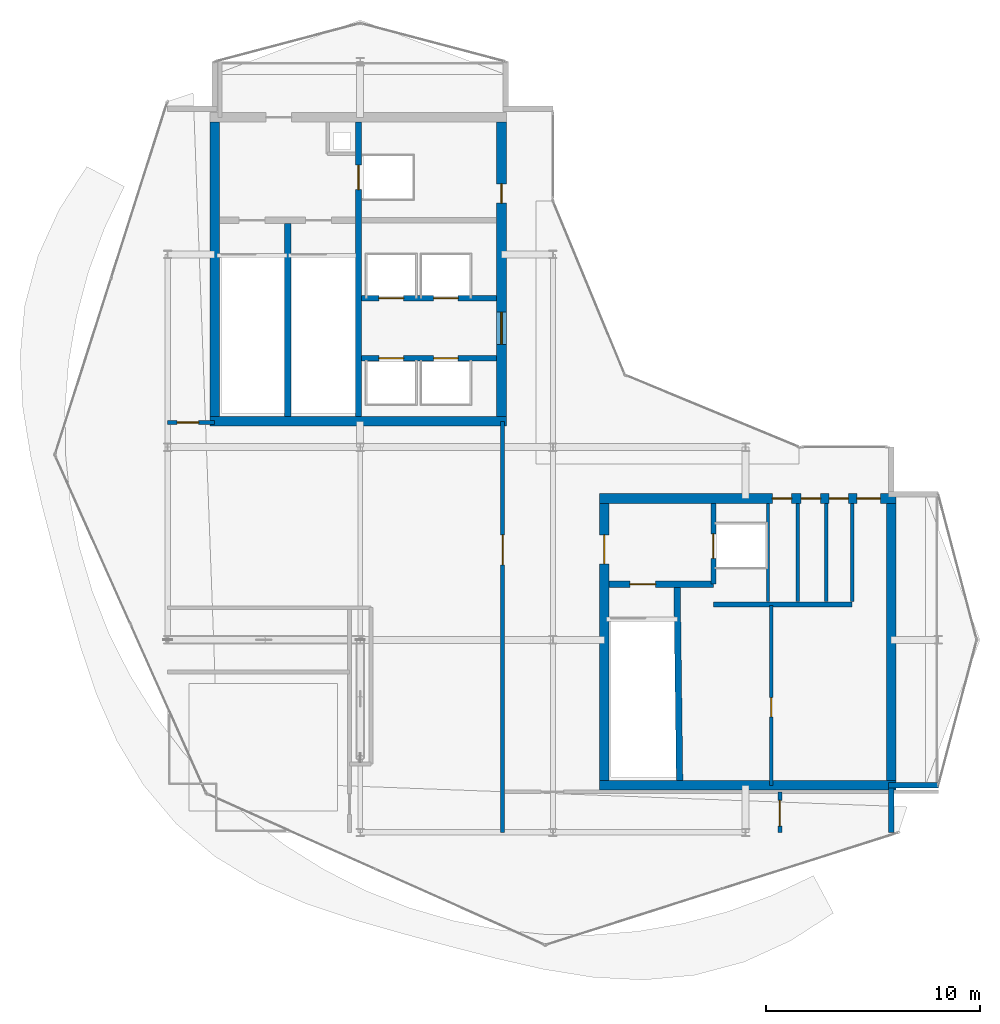
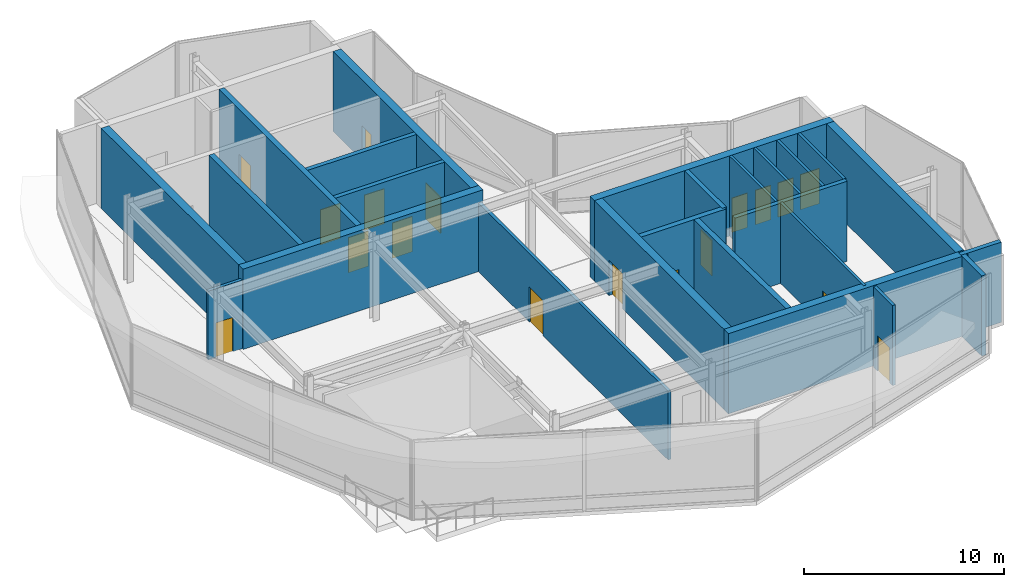
# One storey, part 17 of 19: 25 walls, 18 doors, 18 openings.
"""IFC4 building model written with IfcOpenShell, lengths in metres."""

from ifc_helpers import new_model, si_unit, direction, frame, frame_2d, origin, place, context, subcontext, project, spatial, rectangle, extrude, material, layer, layer_set, type_object, element, fill, save


model = new_model("IFC4")

# Units and contexts
model_context = context("Model", 3, precision=1e-05, world=origin(), true_north=direction((0.0, 1.0)))
body_context = subcontext(model_context, "Body", "Model", "MODEL_VIEW")
ifc_project = project(units=[si_unit("LENGTHUNIT", "METRE"), si_unit("AREAUNIT", "SQUARE_METRE"), si_unit("VOLUMEUNIT", "CUBIC_METRE"), si_unit("PLANEANGLEUNIT", "RADIAN"), si_unit("MASSUNIT", "GRAM", prefix="KILO")], contexts=[model_context])

# Site, building, storey
site_placement = place(None, origin())
site = spatial("IfcSite", under=ifc_project, at=site_placement, CompositionType="ELEMENT")
building_placement = place(site_placement, origin())
building = spatial("IfcBuilding", under=site, at=building_placement, Name="Solvaryn Broadcast Tower", CompositionType="ELEMENT")
storey_placement = place(building_placement, frame((0.0, 0.0, 302.60009765625)))
storey = spatial("IfcBuildingStorey", under=building, at=storey_placement, Name="L76", CompositionType="ELEMENT", Elevation=302.60009765625)

# Walls
ifc_material_1 = material(Name="Concrete f'c 70 MPa", Category="concrete")
ifc_layer_1 = layer(ifc_material_1, 0.449951171875)
ifc_layer_set_1 = layer_set([ifc_layer_1], Name="CW-SHEAR-450")
wall_type_1 = type_object("IfcWallType", Name="CW-SHEAR-450", PredefinedType="SHEAR", material=ifc_layer_set_1)
wall_1_placement = place(storey_placement, frame((10.97509765625, 28.199951171875, 0.0), z_axis=(0.0, 0.0, 1.0), x_axis=(1.0, 0.0, 0.0)))
element("IfcWall", 1, at=wall_1_placement, inside=storey, type_object=wall_type_1, Name="L76 West Core South Shear Wall", PredefinedType="SHEAR", context=body_context, shape_type="SweptSolid", body=[
    extrude(rectangle(XDim=13.849853515625, YDim=0.449951171875, at=frame_2d((6.9248046875, 0.0))), origin(), (0.0, 0.0, 1.0), 4.89990234375),
])
wall_2_placement = place(storey_placement, frame((11.199951171875, 42.175048828125, 0.0), z_axis=(0.0, 0.0, 1.0), x_axis=(0.0, -1.0, 0.0)))
element("IfcWall", 2, at=wall_2_placement, inside=storey, type_object=wall_type_1, Name="L76 West Core West Shear Wall", PredefinedType="SHEAR", context=body_context, shape_type="SweptSolid", body=[
    extrude(rectangle(XDim=13.75, YDim=0.449951171875, at=frame_2d((6.875, 0.0))), origin(), (0.0, 0.0, 1.0), 4.89990234375),
])

# Wall, openings, doors
wall_3_placement = place(storey_placement, frame((24.60009765625, 28.425048828125, 0.0), z_axis=(0.0, 0.0, 1.0), x_axis=(0.0, 1.0, 0.0)))
wall_3 = element("IfcWall", 3, at=wall_3_placement, inside=storey, type_object=wall_type_1, Name="L76 West Core East Shear Wall", PredefinedType="SHEAR", context=body_context, shape_type="SweptSolid", body=[
    extrude(rectangle(XDim=13.75, YDim=0.449951171875, at=frame_2d((6.875, 0.0))), origin(), (0.0, 0.0, 1.0), 4.89990234375),
])
opening_1_placement = place(wall_3_placement, frame((3.375, 0.0, 0.0)))
opening_1 = element("IfcOpeningElement", 4, at=opening_1_placement, cuts=wall_3, Name="Opening FD60A", PredefinedType="OPENING", context=body_context, shape_type="SweptSolid", body=[
    extrude(rectangle(XDim=1.5, YDim=2.199951171875, at=frame_2d((0.75, 1.10009765625))), frame((0.0, 0.235107421875, 0.0), z_axis=(0.0, -1.0, 0.0), x_axis=(1.0, 0.0, 0.0)), (0.0, 0.0, 1.0), 0.469970703125),
])
opening_2_placement = place(wall_3_placement, frame((9.97509765625, 0.0, 0.0)))
opening_2 = element("IfcOpeningElement", 5, at=opening_2_placement, cuts=wall_3, Name="Opening FD60C", PredefinedType="OPENING", context=body_context, shape_type="SweptSolid", body=[
    extrude(rectangle(XDim=0.89990234375, YDim=2.10009765625, at=frame_2d((0.449951171875, 1.050048828125))), frame((0.0, 0.235107421875, 0.0), z_axis=(0.0, -1.0, 0.0), x_axis=(1.0, 0.0, 0.0)), (0.0, 0.0, 1.0), 0.469970703125),
])
ifc_material_2 = material(Name="Flush Acoustic Steel and Timber Door Assembly", Category="steel")
door_type_1 = type_object("IfcDoorType", Name="FD60-CORR-1500X2200", OperationType="NOTDEFINED", PredefinedType="DOOR", material=ifc_material_2)
door_1_placement = place(opening_1_placement, origin())
door_1 = element("IfcDoor", 6, at=door_1_placement, inside=storey, type_object=door_type_1, Name="L76 West Elevator Lobby Corridor Door", OperationType="DOUBLE_DOOR_SINGLE_SWING", OverallHeight=2.199951171875, OverallWidth=1.5, PredefinedType="DOOR", context=body_context, shape_type="SweptSolid", body=[
    extrude(rectangle(XDim=1.5, YDim=2.199951171875, at=frame_2d((0.75, 1.10009765625))), frame((0.0, 0.02490234375, 0.0), z_axis=(0.0, -1.0, 0.0), x_axis=(1.0, 0.0, 0.0)), (0.0, 0.0, 1.0), 0.050048828125),
])
fill(opening_1, door_1)
ifc_material_3 = material(Name="Flush Acoustic Steel and Timber Door Assembly", Category="steel")
door_type_2 = type_object("IfcDoorType", Name="FD60-SERV-900X2100", OperationType="NOTDEFINED", PredefinedType="DOOR", material=ifc_material_3)
door_2_placement = place(opening_2_placement, origin())
door_2 = element("IfcDoor", 7, at=door_2_placement, inside=storey, type_object=door_type_2, Name="L76 West Core Service Door 1", OperationType="SINGLE_SWING_LEFT", OverallHeight=2.10009765625, OverallWidth=0.89990234375, PredefinedType="DOOR", context=body_context, shape_type="SweptSolid", body=[
    extrude(rectangle(XDim=0.89990234375, YDim=2.10009765625, at=frame_2d((0.449951171875, 1.050048828125))), frame((0.0, 0.02490234375, 0.0), z_axis=(0.0, -1.0, 0.0), x_axis=(1.0, 0.0, 0.0)), (0.0, 0.0, 1.0), 0.050048828125),
])
fill(opening_2, door_2)

# Wall
wall_4_placement = place(storey_placement, frame((29.175048828125, 11.199951171875, 0.0), z_axis=(0.0, 0.0, 1.0), x_axis=(1.0, 0.0, 0.0)))
element("IfcWall", 8, at=wall_4_placement, inside=storey, type_object=wall_type_1, Name="L76 East Core South Shear Wall", PredefinedType="SHEAR", context=body_context, shape_type="SweptSolid", body=[
    extrude(rectangle(XDim=13.849853515625, YDim=0.449951171875, at=frame_2d((6.9248046875, 0.0))), origin(), (0.0, 0.0, 1.0), 4.89990234375),
])

# Wall, openings, doors
wall_5_placement = place(storey_placement, frame((43.02490234375, 24.60009765625, 0.0), z_axis=(0.0, 0.0, 1.0), x_axis=(-1.0, 0.0, 0.0)))
wall_5 = element("IfcWall", 9, at=wall_5_placement, inside=storey, type_object=wall_type_1, Name="L76 East Core North Shear Wall", PredefinedType="SHEAR", context=body_context, shape_type="SweptSolid", body=[
    extrude(rectangle(XDim=13.849853515625, YDim=0.449951171875, at=frame_2d((6.9248046875, 0.0))), origin(), (0.0, 0.0, 1.0), 4.89990234375),
])
opening_3_placement = place(wall_5_placement, frame((0.72509765625, 0.0, 0.0)))
opening_3 = element("IfcOpeningElement", 10, at=opening_3_placement, cuts=wall_5, Name="Opening FD90C", PredefinedType="OPENING", context=body_context, shape_type="SweptSolid", body=[
    extrude(rectangle(XDim=1.10009765625, YDim=2.14990234375, at=frame_2d((0.550048828125, 1.074951171875))), frame((0.0, 0.235107421875, 0.0), z_axis=(0.0, -1.0, 0.0), x_axis=(1.0, 0.0, 0.0)), (0.0, 0.0, 1.0), 0.469970703125),
])
opening_4_placement = place(wall_5_placement, frame((2.22509765625, 0.0, 0.0)))
opening_4 = element("IfcOpeningElement", 11, at=opening_4_placement, cuts=wall_5, Name="Opening FD60C", PredefinedType="OPENING", context=body_context, shape_type="SweptSolid", body=[
    extrude(rectangle(XDim=0.89990234375, YDim=2.10009765625, at=frame_2d((0.449951171875, 1.050048828125))), frame((0.0, 0.235107421875, 0.0), z_axis=(0.0, -1.0, 0.0), x_axis=(1.0, 0.0, 0.0)), (0.0, 0.0, 1.0), 0.469970703125),
])
opening_5_placement = place(wall_5_placement, frame((3.52490234375, 0.0, 0.0)))
opening_5 = element("IfcOpeningElement", 12, at=opening_5_placement, cuts=wall_5, Name="Opening FD60C", PredefinedType="OPENING", context=body_context, shape_type="SweptSolid", body=[
    extrude(rectangle(XDim=0.89990234375, YDim=2.10009765625, at=frame_2d((0.449951171875, 1.050048828125))), frame((0.0, 0.235107421875, 0.0), z_axis=(0.0, -1.0, 0.0), x_axis=(1.0, 0.0, 0.0)), (0.0, 0.0, 1.0), 0.469970703125),
])
opening_6_placement = place(wall_5_placement, frame((4.875, 0.0, 0.0)))
opening_6 = element("IfcOpeningElement", 13, at=opening_6_placement, cuts=wall_5, Name="Opening FD60C", PredefinedType="OPENING", context=body_context, shape_type="SweptSolid", body=[
    extrude(rectangle(XDim=0.89990234375, YDim=2.10009765625, at=frame_2d((0.449951171875, 1.050048828125))), frame((0.0, 0.235107421875, 0.0), z_axis=(0.0, -1.0, 0.0), x_axis=(1.0, 0.0, 0.0)), (0.0, 0.0, 1.0), 0.469970703125),
])
door_3_placement = place(opening_4_placement, origin())
door_3 = element("IfcDoor", 14, at=door_3_placement, inside=storey, type_object=door_type_2, Name="L76 Core Wellness Room Door", OperationType="SINGLE_SWING_RIGHT", OverallHeight=2.10009765625, OverallWidth=0.89990234375, PredefinedType="DOOR", context=body_context, shape_type="SweptSolid", body=[
    extrude(rectangle(XDim=0.89990234375, YDim=2.10009765625, at=frame_2d((0.449951171875, 1.050048828125))), frame((0.0, 0.02490234375, 0.0), z_axis=(0.0, -1.0, 0.0), x_axis=(1.0, 0.0, 0.0)), (0.0, 0.0, 1.0), 0.050048828125),
])
fill(opening_4, door_3)
door_4_placement = place(opening_5_placement, origin())
door_4 = element("IfcDoor", 15, at=door_4_placement, inside=storey, type_object=door_type_2, Name="L76 Staff Restroom Door", OperationType="SINGLE_SWING_LEFT", OverallHeight=2.10009765625, OverallWidth=0.89990234375, PredefinedType="DOOR", context=body_context, shape_type="SweptSolid", body=[
    extrude(rectangle(XDim=0.89990234375, YDim=2.10009765625, at=frame_2d((0.449951171875, 1.050048828125))), frame((0.0, 0.02490234375, 0.0), z_axis=(0.0, -1.0, 0.0), x_axis=(1.0, 0.0, 0.0)), (0.0, 0.0, 1.0), 0.050048828125),
])
fill(opening_5, door_4)
door_5_placement = place(opening_6_placement, origin())
door_5 = element("IfcDoor", 16, at=door_5_placement, inside=storey, type_object=door_type_2, Name="L76 Accessible WC Door", OperationType="SINGLE_SWING_RIGHT", OverallHeight=2.10009765625, OverallWidth=0.89990234375, PredefinedType="DOOR", context=body_context, shape_type="SweptSolid", body=[
    extrude(rectangle(XDim=0.89990234375, YDim=2.10009765625, at=frame_2d((0.449951171875, 1.050048828125))), frame((0.0, 0.02490234375, 0.0), z_axis=(0.0, -1.0, 0.0), x_axis=(1.0, 0.0, 0.0)), (0.0, 0.0, 1.0), 0.050048828125),
])
fill(opening_6, door_5)
ifc_material_4 = material(Name="Flush Acoustic Steel and Timber Door Assembly", Category="steel")
door_type_3 = type_object("IfcDoorType", Name="FD90-PLANT-1100X2150", OperationType="NOTDEFINED", PredefinedType="DOOR", material=ifc_material_4)
door_6_placement = place(opening_3_placement, origin())
door_6 = element("IfcDoor", 17, at=door_6_placement, inside=storey, type_object=door_type_3, Name="L76 East Core Lobby Corridor Door", OperationType="SINGLE_SWING_LEFT", OverallHeight=2.14990234375, OverallWidth=1.10009765625, PredefinedType="DOOR", context=body_context, shape_type="SweptSolid", body=[
    extrude(rectangle(XDim=1.10009765625, YDim=2.14990234375, at=frame_2d((0.550048828125, 1.074951171875))), frame((0.0, 0.02490234375, 0.0), z_axis=(0.0, -1.0, 0.0), x_axis=(1.0, 0.0, 0.0)), (0.0, 0.0, 1.0), 0.050048828125),
])
fill(opening_3, door_6)

# Wall, opening, door
wall_6_placement = place(storey_placement, frame((29.39990234375, 24.375, 0.0), z_axis=(0.0, 0.0, 1.0), x_axis=(0.0, -1.0, 0.0)))
wall_6 = element("IfcWall", 18, at=wall_6_placement, inside=storey, type_object=wall_type_1, Name="L76 East Core West Shear Wall", PredefinedType="SHEAR", context=body_context, shape_type="SweptSolid", body=[
    extrude(rectangle(XDim=12.949951171875, YDim=0.449951171875, at=frame_2d((6.47509765625, 0.0))), origin(), (0.0, 0.0, 1.0), 4.89990234375),
])
opening_7_placement = place(wall_6_placement, frame((1.47509765625, 0.0, 0.0)))
opening_7 = element("IfcOpeningElement", 19, at=opening_7_placement, cuts=wall_6, Name="Opening FD90B", PredefinedType="OPENING", context=body_context, shape_type="SweptSolid", body=[
    extrude(rectangle(XDim=1.35009765625, YDim=2.14990234375, at=frame_2d((0.675048828125, 1.074951171875))), frame((0.0, 0.235107421875, 0.0), z_axis=(0.0, -1.0, 0.0), x_axis=(1.0, 0.0, 0.0)), (0.0, 0.0, 1.0), 0.469970703125),
])
ifc_material_5 = material(Name="Flush Acoustic Steel and Timber Door Assembly", Category="steel")
door_type_4 = type_object("IfcDoorType", Name="FD90-LOBBY-1350X2150", OperationType="NOTDEFINED", PredefinedType="DOOR", material=ifc_material_5)
door_7_placement = place(opening_7_placement, origin())
door_7 = element("IfcDoor", 20, at=door_7_placement, inside=storey, type_object=door_type_4, Name="L76 East FSAE Lobby Door", OperationType="SINGLE_SWING_RIGHT", OverallHeight=2.14990234375, OverallWidth=1.35009765625, PredefinedType="DOOR", context=body_context, shape_type="SweptSolid", body=[
    extrude(rectangle(XDim=1.35009765625, YDim=2.14990234375, at=frame_2d((0.675048828125, 1.074951171875))), frame((0.0, 0.02490234375, 0.0), z_axis=(0.0, -1.0, 0.0), x_axis=(1.0, 0.0, 0.0)), (0.0, 0.0, 1.0), 0.050048828125),
])
fill(opening_7, door_7)

# Walls
wall_7_placement = place(storey_placement, frame((42.800048828125, 11.425048828125, 0.0), z_axis=(0.0, 0.0, 1.0), x_axis=(0.0, 1.0, 0.0)))
element("IfcWall", 21, at=wall_7_placement, inside=storey, type_object=wall_type_1, Name="L76 East Core East Shear Wall", PredefinedType="SHEAR", context=body_context, shape_type="SweptSolid", body=[
    extrude(rectangle(XDim=12.949951171875, YDim=0.449951171875, at=frame_2d((6.47509765625, 0.0))), origin(), (0.0, 0.0, 1.0), 4.89990234375),
])
ifc_material_6 = material(Name="Concrete f'c 50 MPa", Category="concrete")
ifc_layer_2 = layer(ifc_material_6, 0.260009765625)
ifc_layer_set_2 = layer_set([ifc_layer_2], Name="EW-PIER-260")
wall_type_2 = type_object("IfcWallType", Name="EW-PIER-260", PredefinedType="SOLIDWALL", material=ifc_layer_set_2)
wall_8_placement = place(storey_placement, frame((42.800048828125, 9.0, 0.0), z_axis=(0.0, 0.0, 1.0), x_axis=(0.0, 1.0, 0.0)))
element("IfcWall", 22, at=wall_8_placement, inside=storey, type_object=wall_type_2, Name="L76 Notched Corner Pier Wall NSE1", PredefinedType="SOLIDWALL", context=body_context, shape_type="SweptSolid", body=[
    extrude(rectangle(XDim=2.080078125, YDim=0.260009765625, at=frame_2d((1.0400390625, 0.0))), origin(), (0.0, 0.0, 1.0), 4.89990234375),
])
wall_9_placement = place(storey_placement, frame((42.679931640625, 11.199951171875, 0.0), z_axis=(0.0, 0.0, 1.0), x_axis=(1.0, 0.0, 0.0)))
element("IfcWall", 23, at=wall_9_placement, inside=storey, type_object=wall_type_2, Name="L76 Notched Corner Pier Wall NSE2", PredefinedType="SOLIDWALL", context=body_context, shape_type="SweptSolid", body=[
    extrude(rectangle(XDim=2.320068359375, YDim=0.260009765625, at=frame_2d((1.16015625, 0.0))), origin(), (0.0, 0.0, 1.0), 4.89990234375),
])

# Wall, opening, door
ifc_material_7 = material(Name="Metal-Stud Service Core Partition")
ifc_layer_3 = layer(ifc_material_7, 0.14990234375)
ifc_layer_set_3 = layer_set([ifc_layer_3], Name="IW-PART-150")
wall_type_3 = type_object("IfcWallType", Name="IW-PART-150", PredefinedType="PARTITIONING", material=ifc_layer_set_3)
wall_10_placement = place(storey_placement, frame((37.199951171875, 11.199951171875, 0.0), z_axis=(0.0, 0.0, 1.0), x_axis=(0.0, 1.0, 0.0)))
wall_10 = element("IfcWall", 24, at=wall_10_placement, inside=storey, type_object=wall_type_3, Name="L76 Interior Partition IW-L76-RPM-V", PredefinedType="PARTITIONING", context=body_context, shape_type="SweptSolid", body=[
    extrude(rectangle(XDim=8.400146484375, YDim=0.14990234375, at=frame_2d((4.2001953125, 0.0))), origin(), (0.0, 0.0, 1.0), 4.89990234375),
])
opening_8_placement = place(wall_10_placement, frame((3.199951171875, 0.0, 0.0)))
opening_8 = element("IfcOpeningElement", 25, at=opening_8_placement, cuts=wall_10, Name="Opening FD60C", PredefinedType="OPENING", context=body_context, shape_type="SweptSolid", body=[
    extrude(rectangle(XDim=0.89990234375, YDim=2.10009765625, at=frame_2d((0.449951171875, 1.050048828125))), frame((0.0, 0.0849609375, 0.0), z_axis=(0.0, -1.0, 0.0), x_axis=(1.0, 0.0, 0.0)), (0.0, 0.0, 1.0), 0.169921875),
])
door_8_placement = place(opening_8_placement, origin())
door_8 = element("IfcDoor", 26, at=door_8_placement, inside=storey, type_object=door_type_2, Name="L76 Door DR-L76-RPM1", OperationType="SINGLE_SWING_LEFT", OverallHeight=2.10009765625, OverallWidth=0.89990234375, PredefinedType="DOOR", context=body_context, shape_type="SweptSolid", body=[
    extrude(rectangle(XDim=0.89990234375, YDim=2.10009765625, at=frame_2d((0.449951171875, 1.050048828125))), frame((0.0, 0.02490234375, 0.0), z_axis=(0.0, -1.0, 0.0), x_axis=(1.0, 0.0, 0.0)), (0.0, 0.0, 1.0), 0.050048828125),
])
fill(opening_8, door_8)

# Walls
for number, where, z_axis, x_axis, name in (
    (27, (37.050048828125, 19.780029296875, 0.0), (0.0, 0.0, 1.0), (0.0, 1.0, 0.0), "L76 Interior Partition IW-L76-CE-FL2E"),
    (28, (38.43994140625, 19.780029296875, 0.0), (0.0, 0.0, 1.0), (0.0, 1.0, 0.0), "L76 Interior Partition IW-L76-CE-V1"),
    (29, (39.77001953125, 19.780029296875, 0.0), (0.0, 0.0, 1.0), (0.0, 1.0, 0.0), "L76 Interior Partition IW-L76-CE-V2"),
    (30, (40.97998046875, 19.780029296875, 0.0), (0.0, 0.0, 1.0), (0.0, 1.0, 0.0), "L76 Interior Partition IW-L76-CE-V3"),
):
    element("IfcWall", number, at=place(storey_placement, frame(where, z_axis=z_axis, x_axis=x_axis)), inside=storey, type_object=wall_type_3, Name=name, PredefinedType="PARTITIONING", context=body_context, shape_type="SweptSolid", body=[
        extrude(rectangle(XDim=4.594970703125, YDim=0.14990234375, at=frame_2d((2.29736328125, 0.0))), origin(), (0.0, 0.0, 1.0), 4.89990234375),
    ])

# Wall, opening, door
ifc_material_8 = material(Name="Acoustic Metal-Stud Gypsum Partition")
ifc_layer_4 = layer(ifc_material_8, 0.179931640625)
ifc_layer_set_4 = layer_set([ifc_layer_4], Name="IW-PART-180")
wall_type_4 = type_object("IfcWallType", Name="IW-PART-180", PredefinedType="PARTITIONING", material=ifc_layer_set_4)
wall_11_placement = place(storey_placement, frame((24.64990234375, 9.0, 0.0), z_axis=(0.0, 0.0, 1.0), x_axis=(0.0, 1.0, 0.0)))
wall_11 = element("IfcWall", 31, at=wall_11_placement, inside=storey, type_object=wall_type_4, Name="L76 Interior Partition IW-L76-TW1", PredefinedType="PARTITIONING", context=body_context, shape_type="SweptSolid", body=[
    extrude(rectangle(XDim=19.199951171875, YDim=0.179931640625, at=frame_2d((9.60009765625, 0.0))), origin(), (0.0, 0.0, 1.0), 4.18701171875),
])
opening_9_placement = place(wall_11_placement, frame((12.5, 0.0, 0.0)))
opening_9 = element("IfcOpeningElement", 32, at=opening_9_placement, cuts=wall_11, Name="Opening ID05", PredefinedType="OPENING", context=body_context, shape_type="SweptSolid", body=[
    extrude(rectangle(XDim=1.39990234375, YDim=2.14990234375, at=frame_2d((0.699951171875, 1.074951171875))), frame((0.0, 0.099853515625, 0.0), z_axis=(0.0, -1.0, 0.0), x_axis=(1.0, 0.0, 0.0)), (0.0, 0.0, 1.0), 0.199951171875),
])
ifc_material_9 = material(Name="Flush Acoustic Steel and Timber Door Assembly", Category="steel")
door_type_5 = type_object("IfcDoorType", Name="ID-05-1400X2150", OperationType="NOTDEFINED", PredefinedType="DOOR", material=ifc_material_9)
door_9_placement = place(opening_9_placement, origin())
door_9 = element("IfcDoor", 33, at=door_9_placement, inside=storey, type_object=door_type_5, Name="L76 Door DR-L76-TD1", OperationType="DOUBLE_DOOR_SINGLE_SWING", OverallHeight=2.14990234375, OverallWidth=1.39990234375, PredefinedType="DOOR", context=body_context, shape_type="SweptSolid", body=[
    extrude(rectangle(XDim=1.39990234375, YDim=2.14990234375, at=frame_2d((0.699951171875, 1.074951171875))), frame((0.0, 0.02490234375, 0.0), z_axis=(0.0, -1.0, 0.0), x_axis=(1.0, 0.0, 0.0)), (0.0, 0.0, 1.0), 0.050048828125),
])
fill(opening_9, door_9)

wall_12_placement = place(storey_placement, frame((9.0, 28.14990234375, 0.0), z_axis=(0.0, 0.0, 1.0), x_axis=(1.0, 0.0, 0.0)))
wall_12 = element("IfcWall", 34, at=wall_12_placement, inside=storey, type_object=wall_type_4, Name="L76 Interior Partition IW-L76-TW2", PredefinedType="PARTITIONING", context=body_context, shape_type="SweptSolid", body=[
    extrude(rectangle(XDim=2.199951171875, YDim=0.179931640625, at=frame_2d((1.10009765625, 0.0))), origin(), (0.0, 0.0, 1.0), 4.18701171875),
])
opening_10_placement = place(wall_12_placement, frame((0.449951171875, 0.0, 0.0)))
opening_10 = element("IfcOpeningElement", 35, at=opening_10_placement, cuts=wall_12, Name="Opening ID02", PredefinedType="OPENING", context=body_context, shape_type="SweptSolid", body=[
    extrude(rectangle(XDim=1.0, YDim=2.10009765625, at=frame_2d((0.5, 1.050048828125))), frame((0.0, 0.099853515625, 0.0), z_axis=(0.0, -1.0, 0.0), x_axis=(1.0, 0.0, 0.0)), (0.0, 0.0, 1.0), 0.199951171875),
])
ifc_material_10 = material(Name="Flush Acoustic Steel and Timber Door Assembly", Category="steel")
door_type_6 = type_object("IfcDoorType", Name="ID-02-1000X2100", OperationType="NOTDEFINED", PredefinedType="DOOR", material=ifc_material_10)
door_10_placement = place(opening_10_placement, origin())
door_10 = element("IfcDoor", 36, at=door_10_placement, inside=storey, type_object=door_type_6, Name="L76 Door DR-L76-TD2", OperationType="SINGLE_SWING_RIGHT", OverallHeight=2.10009765625, OverallWidth=1.0, PredefinedType="DOOR", context=body_context, shape_type="SweptSolid", body=[
    extrude(rectangle(XDim=1.0, YDim=2.10009765625, at=frame_2d((0.5, 1.050048828125))), frame((0.0, 0.02490234375, 0.0), z_axis=(0.0, -1.0, 0.0), x_axis=(1.0, 0.0, 0.0)), (0.0, 0.0, 1.0), 0.050048828125),
])
fill(opening_10, door_10)

wall_13_placement = place(storey_placement, frame((37.60009765625, 9.0, 0.0), z_axis=(0.0, 0.0, 1.0), x_axis=(0.0, 1.0, 0.0)))
wall_13 = element("IfcWall", 37, at=wall_13_placement, inside=storey, type_object=wall_type_4, Name="L76 Interior Partition IW-L76-TW5", PredefinedType="PARTITIONING", context=body_context, shape_type="SweptSolid", body=[
    extrude(rectangle(XDim=1.89990234375, YDim=0.179931640625, at=frame_2d((0.949951171875, 0.0))), origin(), (0.0, 0.0, 1.0), 4.89990234375),
])
opening_11_placement = place(wall_13_placement, frame((0.300048828125, 0.0, 0.0)))
opening_11 = element("IfcOpeningElement", 38, at=opening_11_placement, cuts=wall_13, Name="Opening ID04", PredefinedType="OPENING", context=body_context, shape_type="SweptSolid", body=[
    extrude(rectangle(XDim=1.199951171875, YDim=2.14990234375, at=frame_2d((0.60009765625, 1.074951171875))), frame((0.0, 0.099853515625, 0.0), z_axis=(0.0, -1.0, 0.0), x_axis=(1.0, 0.0, 0.0)), (0.0, 0.0, 1.0), 0.199951171875),
])
ifc_material_11 = material(Name="Flush Acoustic Steel and Timber Door Assembly", Category="steel")
door_type_7 = type_object("IfcDoorType", Name="ID-04-1200X2150", OperationType="NOTDEFINED", PredefinedType="DOOR", material=ifc_material_11)
door_11_placement = place(opening_11_placement, origin())
door_11 = element("IfcDoor", 39, at=door_11_placement, inside=storey, type_object=door_type_7, Name="L76 Door DR-L76-TD4", OperationType="SINGLE_SWING_RIGHT", OverallHeight=2.14990234375, OverallWidth=1.199951171875, PredefinedType="DOOR", context=body_context, shape_type="SweptSolid", body=[
    extrude(rectangle(XDim=1.199951171875, YDim=2.14990234375, at=frame_2d((0.60009765625, 1.074951171875))), frame((0.0, 0.02490234375, 0.0), z_axis=(0.0, -1.0, 0.0), x_axis=(1.0, 0.0, 0.0)), (0.0, 0.0, 1.0), 0.050048828125),
])
fill(opening_11, door_11)

# Wall, openings, doors
ifc_material_12 = material(Name="Concrete f'c 60 MPa", Category="concrete")
ifc_layer_5 = layer(ifc_material_12, 0.25)
ifc_layer_set_5 = layer_set([ifc_layer_5], Name="SW-SHAFT-250")
wall_type_5 = type_object("IfcWallType", Name="SW-SHAFT-250", PredefinedType="PARTITIONING", material=ifc_layer_set_5)
wall_14_placement = place(storey_placement, frame((18.070068359375, 31.14990234375, 0.0), z_axis=(0.0, 0.0, 1.0), x_axis=(1.0, 0.0, 0.0)))
wall_14 = element("IfcWall", 40, at=wall_14_placement, inside=storey, type_object=wall_type_5, Name="L76 High-Rise Lift Bank South Wall", PredefinedType="PARTITIONING", context=body_context, shape_type="SweptSolid", body=[
    extrude(rectangle(XDim=6.304931640625, YDim=0.25, at=frame_2d((3.15234375, 0.0))), origin(), (0.0, 0.0, 1.0), 4.89990234375),
])
opening_12_placement = place(wall_14_placement, frame((0.804931640625, 0.0, 0.0)))
opening_12 = element("IfcOpeningElement", 41, at=opening_12_placement, cuts=wall_14, Name="Opening LD01", PredefinedType="OPENING", context=body_context, shape_type="SweptSolid", body=[
    extrude(rectangle(XDim=1.14990234375, YDim=2.14990234375, at=frame_2d((0.574951171875, 1.074951171875))), frame((0.0, 0.135009765625, 0.0), z_axis=(0.0, -1.0, 0.0), x_axis=(1.0, 0.0, 0.0)), (0.0, 0.0, 1.0), 0.27001953125),
])
opening_13_placement = place(wall_14_placement, frame((3.35498046875, 0.0, 0.0)))
opening_13 = element("IfcOpeningElement", 42, at=opening_13_placement, cuts=wall_14, Name="Opening LD01", PredefinedType="OPENING", context=body_context, shape_type="SweptSolid", body=[
    extrude(rectangle(XDim=1.14990234375, YDim=2.14990234375, at=frame_2d((0.574951171875, 1.074951171875))), frame((0.0, 0.135009765625, 0.0), z_axis=(0.0, -1.0, 0.0), x_axis=(1.0, 0.0, 0.0)), (0.0, 0.0, 1.0), 0.27001953125),
])
ifc_material_13 = material(Name="Flush Acoustic Steel and Timber Door Assembly", Category="steel")
door_type_8 = type_object("IfcDoorType", Name="LD-LIFT-1150X2150", OperationType="NOTDEFINED", PredefinedType="DOOR", material=ifc_material_13)
door_12_placement = place(opening_12_placement, origin())
door_12 = element("IfcDoor", 43, at=door_12_placement, inside=storey, type_object=door_type_8, Name="L76 PH1 Lift Landing Door", OperationType="DOUBLE_DOOR_SLIDING", OverallHeight=2.14990234375, OverallWidth=1.14990234375, PredefinedType="DOOR", context=body_context, shape_type="SweptSolid", body=[
    extrude(rectangle(XDim=1.14990234375, YDim=2.14990234375, at=frame_2d((0.574951171875, 1.074951171875))), frame((0.0, 0.02490234375, 0.0), z_axis=(0.0, -1.0, 0.0), x_axis=(1.0, 0.0, 0.0)), (0.0, 0.0, 1.0), 0.050048828125),
])
fill(opening_12, door_12)
door_13_placement = place(opening_13_placement, origin())
door_13 = element("IfcDoor", 44, at=door_13_placement, inside=storey, type_object=door_type_8, Name="L76 PH2 Lift Landing Door", OperationType="DOUBLE_DOOR_SLIDING", OverallHeight=2.14990234375, OverallWidth=1.14990234375, PredefinedType="DOOR", context=body_context, shape_type="SweptSolid", body=[
    extrude(rectangle(XDim=1.14990234375, YDim=2.14990234375, at=frame_2d((0.574951171875, 1.074951171875))), frame((0.0, 0.02490234375, 0.0), z_axis=(0.0, -1.0, 0.0), x_axis=(1.0, 0.0, 0.0)), (0.0, 0.0, 1.0), 0.050048828125),
])
fill(opening_13, door_13)

wall_15_placement = place(storey_placement, frame((24.375, 33.949951171875, 0.0), z_axis=(0.0, 0.0, 1.0), x_axis=(-1.0, 0.0, 0.0)))
wall_15 = element("IfcWall", 45, at=wall_15_placement, inside=storey, type_object=wall_type_5, Name="L76 High-Rise Lift Bank North Wall", PredefinedType="PARTITIONING", context=body_context, shape_type="SweptSolid", body=[
    extrude(rectangle(XDim=6.304931640625, YDim=0.25, at=frame_2d((3.15234375, 0.0))), origin(), (0.0, 0.0, 1.0), 4.89990234375),
])
opening_14_placement = place(wall_15_placement, frame((4.35009765625, 0.0, 0.0)))
opening_14 = element("IfcOpeningElement", 46, at=opening_14_placement, cuts=wall_15, Name="Opening LD01", PredefinedType="OPENING", context=body_context, shape_type="SweptSolid", body=[
    extrude(rectangle(XDim=1.14990234375, YDim=2.14990234375, at=frame_2d((0.574951171875, 1.074951171875))), frame((0.0, 0.135009765625, 0.0), z_axis=(0.0, -1.0, 0.0), x_axis=(1.0, 0.0, 0.0)), (0.0, 0.0, 1.0), 0.27001953125),
])
opening_15_placement = place(wall_15_placement, frame((1.800048828125, 0.0, 0.0)))
opening_15 = element("IfcOpeningElement", 47, at=opening_15_placement, cuts=wall_15, Name="Opening LD01", PredefinedType="OPENING", context=body_context, shape_type="SweptSolid", body=[
    extrude(rectangle(XDim=1.14990234375, YDim=2.14990234375, at=frame_2d((0.574951171875, 1.074951171875))), frame((0.0, 0.135009765625, 0.0), z_axis=(0.0, -1.0, 0.0), x_axis=(1.0, 0.0, 0.0)), (0.0, 0.0, 1.0), 0.27001953125),
])
door_14_placement = place(opening_14_placement, origin())
door_14 = element("IfcDoor", 48, at=door_14_placement, inside=storey, type_object=door_type_8, Name="L76 PH3 Lift Landing Door", OperationType="DOUBLE_DOOR_SLIDING", OverallHeight=2.14990234375, OverallWidth=1.14990234375, PredefinedType="DOOR", context=body_context, shape_type="SweptSolid", body=[
    extrude(rectangle(XDim=1.14990234375, YDim=2.14990234375, at=frame_2d((0.574951171875, 1.074951171875))), frame((0.0, 0.02490234375, 0.0), z_axis=(0.0, -1.0, 0.0), x_axis=(1.0, 0.0, 0.0)), (0.0, 0.0, 1.0), 0.050048828125),
])
fill(opening_14, door_14)
door_15_placement = place(opening_15_placement, origin())
door_15 = element("IfcDoor", 49, at=door_15_placement, inside=storey, type_object=door_type_8, Name="L76 PH4 Lift Landing Door", OperationType="DOUBLE_DOOR_SLIDING", OverallHeight=2.14990234375, OverallWidth=1.14990234375, PredefinedType="DOOR", context=body_context, shape_type="SweptSolid", body=[
    extrude(rectangle(XDim=1.14990234375, YDim=2.14990234375, at=frame_2d((0.574951171875, 1.074951171875))), frame((0.0, 0.02490234375, 0.0), z_axis=(0.0, -1.0, 0.0), x_axis=(1.0, 0.0, 0.0)), (0.0, 0.0, 1.0), 0.050048828125),
])
fill(opening_15, door_15)

# Wall, opening, door
wall_16_placement = place(storey_placement, frame((34.5, 20.60009765625, 0.0), z_axis=(0.0, 0.0, 1.0), x_axis=(0.0, 1.0, 0.0)))
wall_16 = element("IfcWall", 50, at=wall_16_placement, inside=storey, type_object=wall_type_5, Name="L76 East FSAE Lobby East Wall", PredefinedType="PARTITIONING", context=body_context, shape_type="SweptSolid", body=[
    extrude(rectangle(XDim=3.77490234375, YDim=0.25, at=frame_2d((1.887451171875, 0.0))), origin(), (0.0, 0.0, 1.0), 4.89990234375),
])
opening_16_placement = place(wall_16_placement, frame((1.199951171875, 0.0, 0.0)))
opening_16 = element("IfcOpeningElement", 51, at=opening_16_placement, cuts=wall_16, Name="Opening LD01", PredefinedType="OPENING", context=body_context, shape_type="SweptSolid", body=[
    extrude(rectangle(XDim=1.14990234375, YDim=2.14990234375, at=frame_2d((0.574951171875, 1.074951171875))), frame((0.0, 0.135009765625, 0.0), z_axis=(0.0, -1.0, 0.0), x_axis=(1.0, 0.0, 0.0)), (0.0, 0.0, 1.0), 0.27001953125),
])
door_16_placement = place(opening_16_placement, origin())
door_16 = element("IfcDoor", 52, at=door_16_placement, inside=storey, type_object=door_type_8, Name="L76 FL2 Lift Landing Door", OperationType="DOUBLE_DOOR_SLIDING", OverallHeight=2.14990234375, OverallWidth=1.14990234375, PredefinedType="DOOR", context=body_context, shape_type="SweptSolid", body=[
    extrude(rectangle(XDim=1.14990234375, YDim=2.14990234375, at=frame_2d((0.574951171875, 1.074951171875))), frame((0.0, 0.02490234375, 0.0), z_axis=(0.0, -1.0, 0.0), x_axis=(1.0, 0.0, 0.0)), (0.0, 0.0, 1.0), 0.050048828125),
])
fill(opening_16, door_16)

# Walls
wall_17_placement = place(storey_placement, frame((34.5, 19.64990234375, 0.0), z_axis=(0.0, 0.0, 1.0), x_axis=(1.0, 0.0, 0.0)))
element("IfcWall", 53, at=wall_17_placement, inside=storey, type_object=wall_type_5, Name="L76 East Core Restroom South Wall", PredefinedType="PARTITIONING", context=body_context, shape_type="SweptSolid", body=[
    extrude(rectangle(XDim=6.47998046875, YDim=0.25, at=frame_2d((3.239990234375, 0.0))), origin(), (0.0, 0.0, 1.0), 4.89990234375),
])
ifc_material_14 = material(Name="Concrete f'c 70 MPa", Category="concrete")
ifc_layer_6 = layer(ifc_material_14, 0.300048828125)
ifc_layer_set_6 = layer_set([ifc_layer_6], Name="SW-SHAFT-300")
wall_type_6 = type_object("IfcWallType", Name="SW-SHAFT-300", PredefinedType="SHEAR", material=ifc_layer_set_6)
wall_18_placement = place(storey_placement, frame((14.6201171875, 28.425048828125, 0.0), z_axis=(0.0, 0.0, 1.0), x_axis=(0.0, 1.0, 0.0)))
element("IfcWall", 54, at=wall_18_placement, inside=storey, type_object=wall_type_6, Name="L76 Stair 1-2 Dividing Wall", PredefinedType="SHEAR", context=body_context, shape_type="SweptSolid", body=[
    extrude(rectangle(XDim=9.02490234375, YDim=0.300048828125, at=frame_2d((4.512451171875, 0.0))), origin(), (0.0, 0.0, 1.0), 4.89990234375),
])

# Wall, opening, door
wall_19_placement = place(storey_placement, frame((17.919921875, 42.175048828125, 0.0), z_axis=(0.0, 0.0, 1.0), x_axis=(0.0, -1.0, 0.0)))
wall_19 = element("IfcWall", 55, at=wall_19_placement, inside=storey, type_object=wall_type_6, Name="L76 West Core Stair-Lobby Shear Wall", PredefinedType="SHEAR", context=body_context, shape_type="SweptSolid", body=[
    extrude(rectangle(XDim=13.75, YDim=0.300048828125, at=frame_2d((6.875, 0.0))), origin(), (0.0, 0.0, 1.0), 4.89990234375),
])
opening_17_placement = place(wall_19_placement, frame((2.0, 0.0, 0.0)))
opening_17 = element("IfcOpeningElement", 56, at=opening_17_placement, cuts=wall_19, Name="Opening LD01", PredefinedType="OPENING", context=body_context, shape_type="SweptSolid", body=[
    extrude(rectangle(XDim=1.14990234375, YDim=2.14990234375, at=frame_2d((0.574951171875, 1.074951171875))), frame((0.0, 0.159912109375, 0.0), z_axis=(0.0, -1.0, 0.0), x_axis=(1.0, 0.0, 0.0)), (0.0, 0.0, 1.0), 0.320068359375),
])
door_17_placement = place(opening_17_placement, origin())
door_17 = element("IfcDoor", 57, at=door_17_placement, inside=storey, type_object=door_type_8, Name="L76 FL1 Lift Landing Door", OperationType="DOUBLE_DOOR_SLIDING", OverallHeight=2.14990234375, OverallWidth=1.14990234375, PredefinedType="DOOR", context=body_context, shape_type="SweptSolid", body=[
    extrude(rectangle(XDim=1.14990234375, YDim=2.14990234375, at=frame_2d((0.574951171875, 1.074951171875))), frame((0.0, 0.02490234375, 0.0), z_axis=(0.0, -1.0, 0.0), x_axis=(1.0, 0.0, 0.0)), (0.0, 0.0, 1.0), 0.050048828125),
])
fill(opening_17, door_17)

# Wall
wall_20_placement = place(storey_placement, frame((32.919921875, 11.425048828125, 0.0), z_axis=(0.0, 0.0, 1.0), x_axis=(-0.013135638869, 0.999913723774, 0.0)))
element("IfcWall", 58, at=wall_20_placement, inside=storey, type_object=wall_type_6, Name="L76 Stair 3 East Shear Wall", PredefinedType="SHEAR", context=body_context, shape_type="SweptSolid", body=[
    extrude(rectangle(XDim=9.125732421875, YDim=0.300048828125, at=frame_2d((4.56298828125, 0.0))), origin(), (0.0, 0.0, 1.0), 4.89990234375),
])

# Wall, opening, door
wall_21_placement = place(storey_placement, frame((34.5, 20.60009765625, 0.0), z_axis=(0.0, 0.0, 1.0), x_axis=(-1.0, 0.0, 0.0)))
wall_21 = element("IfcWall", 59, at=wall_21_placement, inside=storey, type_object=wall_type_6, Name="L76 East FSAE Lobby South Wall", PredefinedType="SHEAR", context=body_context, shape_type="SweptSolid", body=[
    extrude(rectangle(XDim=4.875, YDim=0.300048828125, at=frame_2d((2.4375, 0.0))), origin(), (0.0, 0.0, 1.0), 4.89990234375),
])
opening_18_placement = place(wall_21_placement, frame((2.699951171875, 0.0, 0.0)))
opening_18 = element("IfcOpeningElement", 60, at=opening_18_placement, cuts=wall_21, Name="Opening FD90A", PredefinedType="OPENING", context=body_context, shape_type="SweptSolid", body=[
    extrude(rectangle(XDim=1.199951171875, YDim=2.14990234375, at=frame_2d((0.60009765625, 1.074951171875))), frame((0.0, 0.159912109375, 0.0), z_axis=(0.0, -1.0, 0.0), x_axis=(1.0, 0.0, 0.0)), (0.0, 0.0, 1.0), 0.320068359375),
])
ifc_material_15 = material(Name="Flush Acoustic Steel and Timber Door Assembly", Category="steel")
door_type_9 = type_object("IfcDoorType", Name="FD90-STAIR-1200X2150", OperationType="NOTDEFINED", PredefinedType="DOOR", material=ifc_material_15)
door_18_placement = place(opening_18_placement, origin())
door_18 = element("IfcDoor", 61, at=door_18_placement, inside=storey, type_object=door_type_9, Name="L76 Stair 3 Fire Door", OperationType="SINGLE_SWING_LEFT", OverallHeight=2.14990234375, OverallWidth=1.199951171875, PredefinedType="DOOR", context=body_context, shape_type="SweptSolid", body=[
    extrude(rectangle(XDim=1.199951171875, YDim=2.14990234375, at=frame_2d((0.60009765625, 1.074951171875))), frame((0.0, 0.02490234375, 0.0), z_axis=(0.0, -1.0, 0.0), x_axis=(1.0, 0.0, 0.0)), (0.0, 0.0, 1.0), 0.050048828125),
])
fill(opening_18, door_18)

save(model, "model.ifc")
